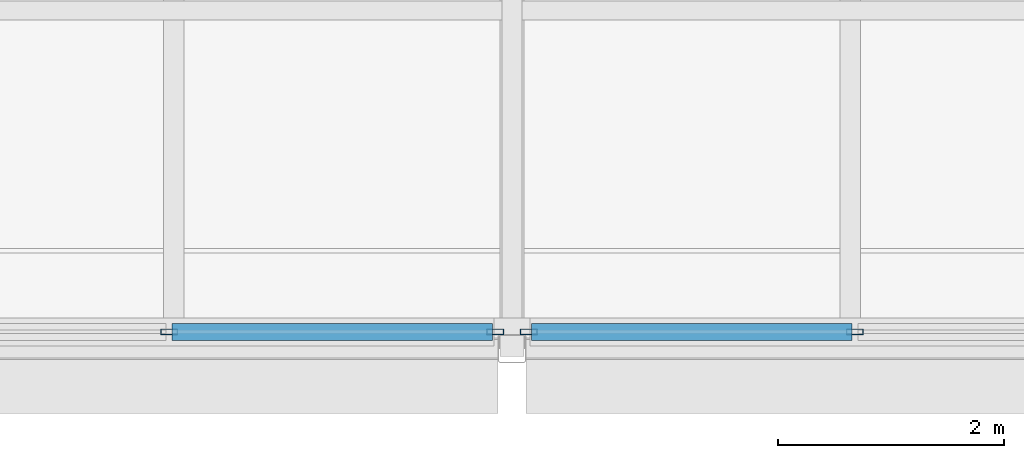
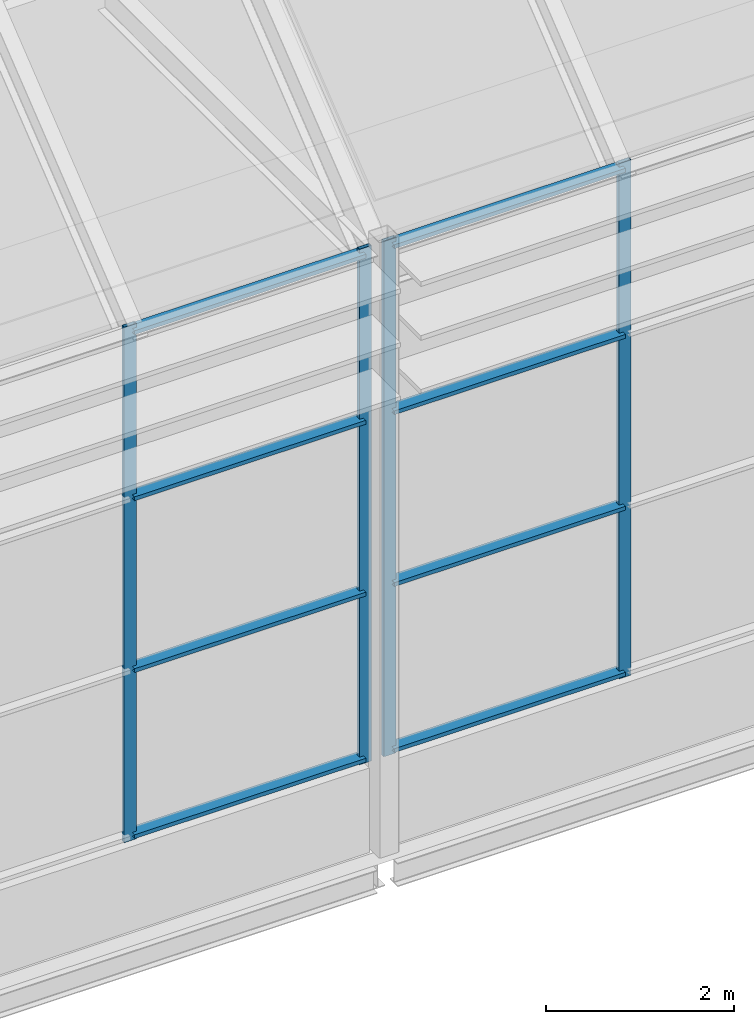
# One storey, part 51 of 144: 12 members, 2 elements without a shape of their own.
"""IFC4 building model written with IfcOpenShell, lengths in metres."""

from ifc_helpers import new_model, si_unit, direction, frame, origin, origin_2d, place, context, subcontext, project, spatial, hollow_rectangle, extrude, material, layer, layer_set, material_profile, profile_set, type_object, element, aggregate, save


model = new_model("IFC4")

# Units and contexts
model_context = context("Model", 3, precision=1e-05, world=origin(), true_north=direction((0.0, 1.0)))
body_context = subcontext(model_context, "Body", "Model", "MODEL_VIEW")
ifc_project = project(units=[si_unit("LENGTHUNIT", "METRE"), si_unit("AREAUNIT", "SQUARE_METRE"), si_unit("VOLUMEUNIT", "CUBIC_METRE"), si_unit("PLANEANGLEUNIT", "RADIAN"), si_unit("MASSUNIT", "GRAM", prefix="KILO")], contexts=[model_context])

# Site, building, storey
site_placement = place(None, origin())
site = spatial("IfcSite", under=ifc_project, at=site_placement, CompositionType="ELEMENT")
building_placement = place(site_placement, origin())
building = spatial("IfcBuilding", under=site, at=building_placement, Name="Shorebreak Coast Museum", CompositionType="ELEMENT")
storey_placement = place(building_placement, frame((0.0, 0.0, 36.0)))
storey = spatial("IfcBuildingStorey", under=building, at=storey_placement, Name="L06", CompositionType="ELEMENT", Elevation=36.0)

# Curtain wall, members
ifc_material_1 = material(Name="Aluminium", Category="aluminium")
ifc_layer = layer(ifc_material_1, 0.14990234375)
ifc_layer_set = layer_set([ifc_layer], Name="Aluminium")
curtain_wall_type = type_object("IfcCurtainWallType", Name="Storefront curtain wall", PredefinedType="NOTDEFINED", material=ifc_layer_set)
curtain_wall_1_placement = place(storey_placement, origin())
curtain_wall_1 = element("IfcCurtainWall", 1, at=curtain_wall_1_placement, inside=storey, type_object=curtain_wall_type, Name="Atrium Hall glazing L06 S 24", PredefinedType="NOTDEFINED")
ifc_material_2 = material(Name="Aluminium", Category="aluminium")
ifc_material_profile_1 = material_profile(ifc_material_2, hollow_rectangle(XDim=0.050048828125, YDim=0.14990234375, WallThickness=0.00390625, at=origin_2d()), Name="AL 150x50 RHS")
ifc_profile_set_1 = profile_set([ifc_material_profile_1], Name="Aluminium")
member_type_1 = type_object("IfcMemberType", Name="Storefront mullion 50 x 150", PredefinedType="MULLION", material=ifc_profile_set_1)
member_1_placement = place(storey_placement, frame((86.958251953125, 54.14990234375, 1.10009765625), z_axis=(0.0, 0.0, 1.0), x_axis=(0.0, 1.0, 0.0)))
member_1 = element("IfcMember", 2, at=member_1_placement, type_object=member_type_1, Name="CW5 mullion 3", PredefinedType="MULLION", context=body_context, shape_type="SweptSolid", body=[
    extrude(hollow_rectangle(XDim=0.050048828125, YDim=0.14990234375, WallThickness=0.00390625, at=origin_2d()), origin(), (0.0, 0.0, 1.0), 6.699951171875),
])
member_2_placement = place(storey_placement, frame((89.85009765625, 54.14990234375, 1.10009765625), z_axis=(0.0, 0.0, 1.0), x_axis=(0.0, 1.0, 0.0)))
member_2 = element("IfcMember", 3, at=member_2_placement, type_object=member_type_1, Name="CW5 mullion 4", PredefinedType="MULLION", context=body_context, shape_type="SweptSolid", body=[
    extrude(hollow_rectangle(XDim=0.050048828125, YDim=0.14990234375, WallThickness=0.00390625, at=origin_2d()), origin(), (0.0, 0.0, 1.0), 6.699951171875),
])

curtain_wall_2_placement = place(storey_placement, origin())
curtain_wall_2 = element("IfcCurtainWall", 4, at=curtain_wall_2_placement, inside=storey, type_object=curtain_wall_type, Name="Atrium Hall glazing L06 S 25", PredefinedType="NOTDEFINED")
member_3_placement = place(storey_placement, frame((90.14990234375, 54.14990234375, 1.10009765625), z_axis=(0.0, 0.0, 1.0), x_axis=(0.0, 1.0, 0.0)))
member_3 = element("IfcMember", 5, at=member_3_placement, type_object=member_type_1, Name="CW5 mullion 1", PredefinedType="MULLION", context=body_context, shape_type="SweptSolid", body=[
    extrude(hollow_rectangle(XDim=0.050048828125, YDim=0.14990234375, WallThickness=0.00390625, at=origin_2d()), origin(), (0.0, 0.0, 1.0), 6.699951171875),
])
member_4_placement = place(storey_placement, frame((93.041748046875, 54.14990234375, 1.10009765625), z_axis=(0.0, 0.0, 1.0), x_axis=(0.0, 1.0, 0.0)))
member_4 = element("IfcMember", 6, at=member_4_placement, type_object=member_type_1, Name="CW5 mullion 2", PredefinedType="MULLION", context=body_context, shape_type="SweptSolid", body=[
    extrude(hollow_rectangle(XDim=0.050048828125, YDim=0.14990234375, WallThickness=0.00390625, at=origin_2d()), origin(), (0.0, 0.0, 1.0), 6.699951171875),
])

# Member
ifc_material_3 = material(Name="Aluminium", Category="aluminium")
ifc_material_profile_2 = material_profile(ifc_material_3, hollow_rectangle(XDim=0.14990234375, YDim=0.050048828125, WallThickness=0.00390625, at=origin_2d()), Name="AL 50x150 RHS")
ifc_profile_set_2 = profile_set([ifc_material_profile_2], Name="Aluminium")
member_type_2 = type_object("IfcMemberType", Name="Storefront transom 150 x 50", PredefinedType="USERDEFINED", material=ifc_profile_set_2)
member_5_placement = place(storey_placement, frame((86.9833984375, 54.14990234375, 1.175048828125), z_axis=(1.0, 0.0, 0.0), x_axis=(0.0, 1.0, 0.0)))
member_5 = element("IfcMember", 7, at=member_5_placement, type_object=member_type_2, Name="CW5 transom 3.1", ObjectType="TRANSOM", PredefinedType="USERDEFINED", context=body_context, shape_type="SweptSolid", body=[
    extrude(hollow_rectangle(XDim=0.14990234375, YDim=0.050048828125, WallThickness=0.00390625, at=origin_2d()), origin(), (0.0, 0.0, 1.0), 2.841552734375),
])

member_6_placement = place(storey_placement, frame((86.9833984375, 54.14990234375, 3.333251953125), z_axis=(1.0, 0.0, 0.0), x_axis=(0.0, 1.0, 0.0)))
member_6 = element("IfcMember", 8, at=member_6_placement, type_object=member_type_2, Name="CW5 transom 3.2", ObjectType="TRANSOM", PredefinedType="USERDEFINED", context=body_context, shape_type="SweptSolid", body=[
    extrude(hollow_rectangle(XDim=0.14990234375, YDim=0.050048828125, WallThickness=0.00390625, at=origin_2d()), origin(), (0.0, 0.0, 1.0), 2.841552734375),
])

member_7_placement = place(storey_placement, frame((86.9833984375, 54.14990234375, 5.566650390625), z_axis=(1.0, 0.0, 0.0), x_axis=(0.0, 1.0, 0.0)))
member_7 = element("IfcMember", 9, at=member_7_placement, type_object=member_type_2, Name="CW5 transom 3.3", ObjectType="TRANSOM", PredefinedType="USERDEFINED", context=body_context, shape_type="SweptSolid", body=[
    extrude(hollow_rectangle(XDim=0.14990234375, YDim=0.050048828125, WallThickness=0.00390625, at=origin_2d()), origin(), (0.0, 0.0, 1.0), 2.841552734375),
])

member_8_placement = place(storey_placement, frame((86.9833984375, 54.14990234375, 7.72509765625), z_axis=(1.0, 0.0, 0.0), x_axis=(0.0, 1.0, 0.0)))
member_8 = element("IfcMember", 10, at=member_8_placement, type_object=member_type_2, Name="CW5 transom 3.4", ObjectType="TRANSOM", PredefinedType="USERDEFINED", context=body_context, shape_type="SweptSolid", body=[
    extrude(hollow_rectangle(XDim=0.14990234375, YDim=0.050048828125, WallThickness=0.00390625, at=origin_2d()), origin(), (0.0, 0.0, 1.0), 2.841552734375),
])

aggregate(curtain_wall_1, [member_1, member_2, member_5, member_6, member_7, member_8])

member_9_placement = place(storey_placement, frame((90.175048828125, 54.14990234375, 1.175048828125), z_axis=(1.0, 0.0, 0.0), x_axis=(0.0, 1.0, 0.0)))
member_9 = element("IfcMember", 11, at=member_9_placement, type_object=member_type_2, Name="CW5 transom 1.1", ObjectType="TRANSOM", PredefinedType="USERDEFINED", context=body_context, shape_type="SweptSolid", body=[
    extrude(hollow_rectangle(XDim=0.14990234375, YDim=0.050048828125, WallThickness=0.00390625, at=origin_2d()), origin(), (0.0, 0.0, 1.0), 2.841552734375),
])

member_10_placement = place(storey_placement, frame((90.175048828125, 54.14990234375, 3.333251953125), z_axis=(1.0, 0.0, 0.0), x_axis=(0.0, 1.0, 0.0)))
member_10 = element("IfcMember", 12, at=member_10_placement, type_object=member_type_2, Name="CW5 transom 1.2", ObjectType="TRANSOM", PredefinedType="USERDEFINED", context=body_context, shape_type="SweptSolid", body=[
    extrude(hollow_rectangle(XDim=0.14990234375, YDim=0.050048828125, WallThickness=0.00390625, at=origin_2d()), origin(), (0.0, 0.0, 1.0), 2.841552734375),
])

member_11_placement = place(storey_placement, frame((90.175048828125, 54.14990234375, 5.566650390625), z_axis=(1.0, 0.0, 0.0), x_axis=(0.0, 1.0, 0.0)))
member_11 = element("IfcMember", 13, at=member_11_placement, type_object=member_type_2, Name="CW5 transom 1.3", ObjectType="TRANSOM", PredefinedType="USERDEFINED", context=body_context, shape_type="SweptSolid", body=[
    extrude(hollow_rectangle(XDim=0.14990234375, YDim=0.050048828125, WallThickness=0.00390625, at=origin_2d()), origin(), (0.0, 0.0, 1.0), 2.841552734375),
])

member_12_placement = place(storey_placement, frame((90.175048828125, 54.14990234375, 7.72509765625), z_axis=(1.0, 0.0, 0.0), x_axis=(0.0, 1.0, 0.0)))
member_12 = element("IfcMember", 14, at=member_12_placement, type_object=member_type_2, Name="CW5 transom 1.4", ObjectType="TRANSOM", PredefinedType="USERDEFINED", context=body_context, shape_type="SweptSolid", body=[
    extrude(hollow_rectangle(XDim=0.14990234375, YDim=0.050048828125, WallThickness=0.00390625, at=origin_2d()), origin(), (0.0, 0.0, 1.0), 2.841552734375),
])

aggregate(curtain_wall_2, [member_3, member_4, member_9, member_10, member_11, member_12])

save(model, "model.ifc")
